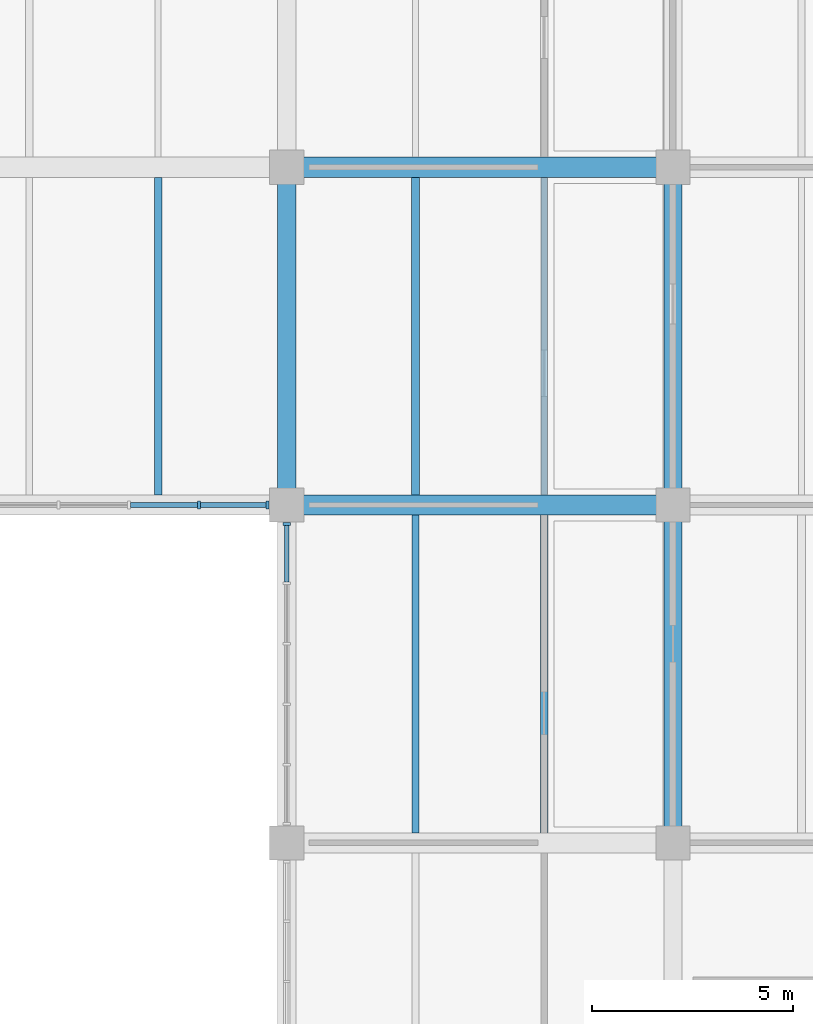
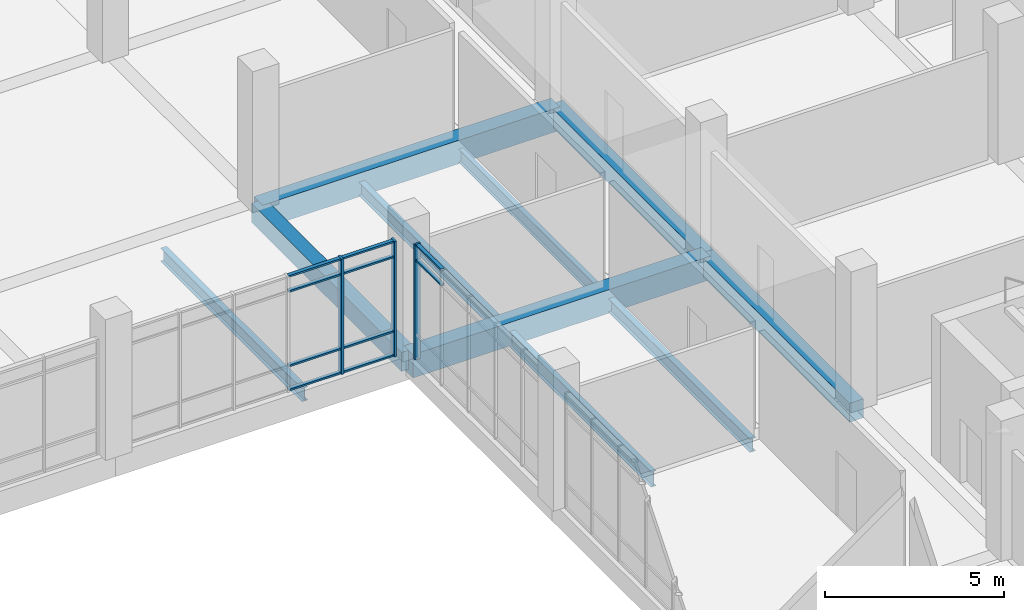
# One storey, part 37 of 152: 13 members, 10 beams, 2 elements without a shape of their own.
"""IFC4 building model written with IfcOpenShell, lengths in metres."""

from ifc_helpers import new_model, si_unit, direction, frame, origin, origin_2d, place, context, subcontext, project, spatial, rectangle, i_section, extrude, material, material_profile, profile_set, type_object, element, aggregate, save


model = new_model("IFC4")

# Units and contexts
model_context = context("Model", 3, precision=1e-05, world=origin(), true_north=direction((0.0, 1.0)))
body_context = subcontext(model_context, "Body", "Model", "MODEL_VIEW")
ifc_project = project(units=[si_unit("LENGTHUNIT", "METRE"), si_unit("AREAUNIT", "SQUARE_METRE"), si_unit("VOLUMEUNIT", "CUBIC_METRE"), si_unit("PLANEANGLEUNIT", "RADIAN"), si_unit("MASSUNIT", "GRAM", prefix="KILO")], contexts=[model_context])

# Site, building, storey
site_placement = place(None, origin())
site = spatial("IfcSite", under=ifc_project, at=site_placement, CompositionType="ELEMENT")
building_placement = place(site_placement, origin())
building = spatial("IfcBuilding", under=site, at=building_placement, Name="Oolite Switchyard Hospital", CompositionType="ELEMENT")
storey_placement = place(building_placement, frame((0.0, 0.0, 5.10009765625)))
storey = spatial("IfcBuildingStorey", under=building, at=storey_placement, Name="L01", CompositionType="ELEMENT", Elevation=5.10009765625)

# Beams
ifc_material_1 = material(Name="Concrete C40/50", Category="concrete")
ifc_material_profile_1 = material_profile(ifc_material_1, rectangle(XDim=0.449951171875, YDim=0.64990234375, at=origin_2d()), Name="RCB450X650")
ifc_profile_set_1 = profile_set([ifc_material_profile_1], Name="Concrete C40/50")
beam_type_1 = type_object("IfcBeamType", Name="BM-RC450X650", PredefinedType="BEAM", material=ifc_profile_set_1)
for number, where, z_axis, x_axis, name in (
    (1, (115.199951171875, 84.0, -0.3251953125), (0.0, 1.0, 0.0), (-1.0, 0.0, 0.0), "L01 Y-Girder 432"),
    (2, (124.800048828125, 75.60009765625, -0.3251953125), (0.0, 1.0, 0.0), (-1.0, 0.0, 0.0), "L01 Y-Girder 440"),
    (3, (124.800048828125, 84.0, -0.3251953125), (0.0, 1.0, 0.0), (-1.0, 0.0, 0.0), "L01 Y-Girder 441"),
):
    element("IfcBeam", number, at=place(storey_placement, frame(where, z_axis=z_axis, x_axis=x_axis)), inside=storey, type_object=beam_type_1, Name=name, PredefinedType="BEAM", context=body_context, shape_type="SweptSolid", body=[
        extrude(rectangle(XDim=0.449951171875, YDim=0.64990234375, at=origin_2d()), origin(), (0.0, 0.0, 1.0), 8.39990234375),
    ])
ifc_material_profile_2 = material_profile(ifc_material_1, rectangle(XDim=0.5, YDim=0.800048828125, at=origin_2d()), Name="RCB500X800")
ifc_profile_set_2 = profile_set([ifc_material_profile_2], Name="Concrete C40/50")
beam_type_2 = type_object("IfcBeamType", Name="BM-RC500X800", PredefinedType="BEAM", material=ifc_profile_set_2)
for number, where, z_axis, x_axis, name in (
    (4, (115.199951171875, 84.0, -0.400146484375), (1.0, 0.0, 0.0), (0.0, 1.0, 0.0), "L01 X-Girder 175"),
    (5, (115.199951171875, 92.39990234375, -0.400146484375), (1.0, 0.0, 0.0), (0.0, 1.0, 0.0), "L01 X-Girder 191"),
):
    element("IfcBeam", number, at=place(storey_placement, frame(where, z_axis=z_axis, x_axis=x_axis)), inside=storey, type_object=beam_type_2, Name=name, PredefinedType="BEAM", context=body_context, shape_type="SweptSolid", body=[
        extrude(rectangle(XDim=0.5, YDim=0.800048828125, at=origin_2d()), origin(), (0.0, 0.0, 1.0), 9.60009765625),
    ])
ifc_material_2 = material(Name="Steel ASTM A992 Grade 50", Category="steel")
ifc_material_profile_3 = material_profile(ifc_material_2, i_section(OverallWidth=0.153076171875, OverallDepth=0.455078125, WebThickness=0.008056640625, FlangeThickness=0.012939453125, at=origin_2d()), Name="W18X40")
ifc_profile_set_3 = profile_set([ifc_material_profile_3], Name="Steel ASTM A992 Grade 50")
beam_type_3 = type_object("IfcBeamType", Name="BM-W18X40", PredefinedType="JOIST", material=ifc_profile_set_3)
beam_1_placement = place(storey_placement, frame((121.60009765625, 84.25, -0.528076171875), z_axis=(0.0, 1.0, 0.0), x_axis=(-1.0, 0.0, 0.0)))
element("IfcBeam", 6, at=beam_1_placement, inside=storey, type_object=beam_type_3, Name="L01 Secondary Steel Joist 803", PredefinedType="JOIST", context=body_context, shape_type="SweptSolid", body=[
    extrude(i_section(OverallWidth=0.153076171875, OverallDepth=0.455078125, WebThickness=0.008056640625, FlangeThickness=0.012939453125, at=origin_2d()), origin(), (0.0, 0.0, 1.0), 7.89990234375),
])
ifc_material_profile_4 = material_profile(ifc_material_2, i_section(OverallWidth=0.19091796875, OverallDepth=0.4599609375, WebThickness=0.010009765625, FlangeThickness=0.01611328125, at=origin_2d()), Name="W18X55")
ifc_profile_set_4 = profile_set([ifc_material_profile_4], Name="Steel ASTM A992 Grade 50")
beam_type_4 = type_object("IfcBeamType", Name="BM-W18X55", PredefinedType="JOIST", material=ifc_profile_set_4)
for number, where, z_axis, x_axis, name in (
    (7, (112.0, 84.25, -0.530029296875), (0.0, 1.0, 0.0), (-1.0, 0.0, 0.0), "L01 Secondary Steel Joist 785"),
    (8, (121.60009765625, 75.85009765625, -0.530029296875), (0.0, 1.0, 0.0), (-1.0, 0.0, 0.0), "L01 Secondary Steel Joist 801"),
    (9, (118.39990234375, 84.25, -0.530029296875), (0.0, 1.0, 0.0), (-1.0, 0.0, 0.0), "L01 Secondary Steel Joist 802"),
):
    element("IfcBeam", number, at=place(storey_placement, frame(where, z_axis=z_axis, x_axis=x_axis)), inside=storey, type_object=beam_type_4, Name=name, PredefinedType="JOIST", context=body_context, shape_type="SweptSolid", body=[
        extrude(i_section(OverallWidth=0.19091796875, OverallDepth=0.4599609375, WebThickness=0.010009765625, FlangeThickness=0.01611328125, at=origin_2d()), origin(), (0.0, 0.0, 1.0), 7.89990234375),
    ])
ifc_material_profile_5 = material_profile(ifc_material_2, i_section(OverallWidth=0.166015625, OverallDepth=0.529052734375, WebThickness=0.010009765625, FlangeThickness=0.013916015625, at=origin_2d()), Name="W21X50")
ifc_profile_set_5 = profile_set([ifc_material_profile_5], Name="Steel ASTM A992 Grade 50")
beam_type_5 = type_object("IfcBeamType", Name="BM-W21X50", PredefinedType="JOIST", material=ifc_profile_set_5)
beam_2_placement = place(storey_placement, frame((118.39990234375, 75.85009765625, -0.564208984375), z_axis=(0.0, 1.0, 0.0), x_axis=(-1.0, 0.0, 0.0)))
element("IfcBeam", 10, at=beam_2_placement, inside=storey, type_object=beam_type_5, Name="L01 Secondary Steel Joist 800", PredefinedType="JOIST", context=body_context, shape_type="SweptSolid", body=[
    extrude(i_section(OverallWidth=0.166015625, OverallDepth=0.529052734375, WebThickness=0.010009765625, FlangeThickness=0.013916015625, at=origin_2d()), origin(), (0.0, 0.0, 1.0), 7.89990234375),
])

# Curtain wall, member
ifc_material_3 = material(Name="Thermally broken aluminum frame with laminated impact glazing", Category="aluminium")
curtain_wall_type_1 = type_object("IfcCurtainWallType", Name="CW-UNIT-84X48", PredefinedType="USERDEFINED", material=ifc_material_3)
curtain_wall_1_placement = place(storey_placement, origin())
curtain_wall_1 = element("IfcCurtainWall", 11, at=curtain_wall_1_placement, inside=storey, type_object=curtain_wall_type_1, Name="L01 Unitised Curtain Wall 186", ObjectType="UNITISED", PredefinedType="USERDEFINED")
ifc_material_4 = material(Name="Aluminium 6063-T6", Category="aluminium")
ifc_material_profile_6 = material_profile(ifc_material_4, rectangle(XDim=0.179931640625, YDim=0.070068359375, at=origin_2d()), Name="CWM70X180")
ifc_profile_set_6 = profile_set([ifc_material_profile_6], Name="Aluminium 6063-T6")
member_type_1 = type_object("IfcMemberType", Name="CW-MUL-220", PredefinedType="MULLION", material=ifc_profile_set_6)
member_1_placement = place(storey_placement, frame((115.199951171875, 83.52490234375, 0.0), z_axis=(0.0, 0.0, 1.0), x_axis=(-1.0, 0.0, 0.0)))
member_1 = element("IfcMember", 12, at=member_1_placement, type_object=member_type_1, Name="CW-07 mullion 6", PredefinedType="MULLION", context=body_context, shape_type="SweptSolid", body=[
    extrude(rectangle(XDim=0.179931640625, YDim=0.070068359375, at=origin_2d()), origin(), (0.0, 0.0, 1.0), 3.93994140625),
])

# Curtain wall, members
curtain_wall_type_2 = type_object("IfcCurtainWallType", Name="CW-UNIT-96X48", PredefinedType="USERDEFINED", material=ifc_material_3)
curtain_wall_2_placement = place(storey_placement, origin())
curtain_wall_2 = element("IfcCurtainWall", 13, at=curtain_wall_2_placement, inside=storey, type_object=curtain_wall_type_2, Name="L01 Unitised Curtain Wall 142", ObjectType="UNITISED", PredefinedType="USERDEFINED")
ifc_material_profile_7 = material_profile(ifc_material_4, rectangle(XDim=0.199951171875, YDim=0.074951171875, at=origin_2d()), Name="CWM75X200")
ifc_profile_set_7 = profile_set([ifc_material_profile_7], Name="Aluminium 6063-T6")
member_type_2 = type_object("IfcMemberType", Name="CW-MUL-260", PredefinedType="MULLION", material=ifc_profile_set_7)
member_2_placement = place(storey_placement, frame((114.722412109375, 84.0, 0.0), z_axis=(0.0, 0.0, 1.0), x_axis=(0.0, -1.0, 0.0)))
member_2 = element("IfcMember", 14, at=member_2_placement, type_object=member_type_2, Name="CW-02 mullion 1", PredefinedType="MULLION", context=body_context, shape_type="SweptSolid", body=[
    extrude(rectangle(XDim=0.199951171875, YDim=0.074951171875, at=origin_2d()), origin(), (0.0, 0.0, 1.0), 3.93994140625),
])
member_3_placement = place(storey_placement, frame((113.01611328125, 84.0, 0.0), z_axis=(0.0, 0.0, 1.0), x_axis=(0.0, -1.0, 0.0)))
member_3 = element("IfcMember", 15, at=member_3_placement, type_object=member_type_2, Name="CW-02 mullion 2", PredefinedType="MULLION", context=body_context, shape_type="SweptSolid", body=[
    extrude(rectangle(XDim=0.199951171875, YDim=0.074951171875, at=origin_2d()), origin(), (0.0, 0.0, 1.0), 3.93994140625),
])
ifc_material_profile_8 = material_profile(ifc_material_4, rectangle(XDim=0.1201171875, YDim=0.06005859375, at=origin_2d()), Name="CWT60X120")
ifc_profile_set_8 = profile_set([ifc_material_profile_8], Name="Aluminium 6063-T6")
member_type_3 = type_object("IfcMemberType", Name="CW-TRN-150", PredefinedType="USERDEFINED", material=ifc_profile_set_8)
member_4_placement = place(storey_placement, frame((114.68505859375, 84.0, 0.02978515625), z_axis=(-1.0, 0.0, 0.0), x_axis=(0.0, -1.0, 0.0)))
member_4 = element("IfcMember", 16, at=member_4_placement, type_object=member_type_3, Name="CW-02 transom 1.1", ObjectType="TRANSOM", PredefinedType="USERDEFINED", context=body_context, shape_type="SweptSolid", body=[
    extrude(rectangle(XDim=0.1201171875, YDim=0.06005859375, at=origin_2d()), origin(), (0.0, 0.0, 1.0), 1.631591796875),
])
member_5_placement = place(storey_placement, frame((114.68505859375, 84.0, 0.849853515625), z_axis=(-1.0, 0.0, 0.0), x_axis=(0.0, -1.0, 0.0)))
member_5 = element("IfcMember", 17, at=member_5_placement, type_object=member_type_3, Name="CW-02 transom 1.2", ObjectType="TRANSOM", PredefinedType="USERDEFINED", context=body_context, shape_type="SweptSolid", body=[
    extrude(rectangle(XDim=0.1201171875, YDim=0.06005859375, at=origin_2d()), origin(), (0.0, 0.0, 1.0), 1.631591796875),
])
member_6_placement = place(storey_placement, frame((114.68505859375, 84.0, 3.389892578125), z_axis=(-1.0, 0.0, 0.0), x_axis=(0.0, -1.0, 0.0)))
member_6 = element("IfcMember", 18, at=member_6_placement, type_object=member_type_3, Name="CW-02 transom 1.3", ObjectType="TRANSOM", PredefinedType="USERDEFINED", context=body_context, shape_type="SweptSolid", body=[
    extrude(rectangle(XDim=0.1201171875, YDim=0.06005859375, at=origin_2d()), origin(), (0.0, 0.0, 1.0), 1.631591796875),
])
member_7_placement = place(storey_placement, frame((114.68505859375, 84.0, 3.909912109375), z_axis=(-1.0, 0.0, 0.0), x_axis=(0.0, -1.0, 0.0)))
member_7 = element("IfcMember", 19, at=member_7_placement, type_object=member_type_3, Name="CW-02 transom 1.4", ObjectType="TRANSOM", PredefinedType="USERDEFINED", context=body_context, shape_type="SweptSolid", body=[
    extrude(rectangle(XDim=0.1201171875, YDim=0.06005859375, at=origin_2d()), origin(), (0.0, 0.0, 1.0), 1.631591796875),
])
member_8_placement = place(storey_placement, frame((112.978515625, 84.0, 0.02978515625), z_axis=(-1.0, 0.0, 0.0), x_axis=(0.0, -1.0, 0.0)))
member_8 = element("IfcMember", 20, at=member_8_placement, type_object=member_type_3, Name="CW-02 transom 2.1", ObjectType="TRANSOM", PredefinedType="USERDEFINED", context=body_context, shape_type="SweptSolid", body=[
    extrude(rectangle(XDim=0.1201171875, YDim=0.06005859375, at=origin_2d()), origin(), (0.0, 0.0, 1.0), 1.6689453125),
])
member_9_placement = place(storey_placement, frame((112.978515625, 84.0, 0.849853515625), z_axis=(-1.0, 0.0, 0.0), x_axis=(0.0, -1.0, 0.0)))
member_9 = element("IfcMember", 21, at=member_9_placement, type_object=member_type_3, Name="CW-02 transom 2.2", ObjectType="TRANSOM", PredefinedType="USERDEFINED", context=body_context, shape_type="SweptSolid", body=[
    extrude(rectangle(XDim=0.1201171875, YDim=0.06005859375, at=origin_2d()), origin(), (0.0, 0.0, 1.0), 1.6689453125),
])
member_10_placement = place(storey_placement, frame((112.978515625, 84.0, 3.389892578125), z_axis=(-1.0, 0.0, 0.0), x_axis=(0.0, -1.0, 0.0)))
member_10 = element("IfcMember", 22, at=member_10_placement, type_object=member_type_3, Name="CW-02 transom 2.3", ObjectType="TRANSOM", PredefinedType="USERDEFINED", context=body_context, shape_type="SweptSolid", body=[
    extrude(rectangle(XDim=0.1201171875, YDim=0.06005859375, at=origin_2d()), origin(), (0.0, 0.0, 1.0), 1.6689453125),
])
member_11_placement = place(storey_placement, frame((112.978515625, 84.0, 3.909912109375), z_axis=(-1.0, 0.0, 0.0), x_axis=(0.0, -1.0, 0.0)))
member_11 = element("IfcMember", 23, at=member_11_placement, type_object=member_type_3, Name="CW-02 transom 2.4", ObjectType="TRANSOM", PredefinedType="USERDEFINED", context=body_context, shape_type="SweptSolid", body=[
    extrude(rectangle(XDim=0.1201171875, YDim=0.06005859375, at=origin_2d()), origin(), (0.0, 0.0, 1.0), 1.6689453125),
])
aggregate(curtain_wall_2, [member_2, member_3, member_4, member_5, member_6, member_7, member_8, member_9, member_10, member_11])

# Member
member_12_placement = place(storey_placement, frame((115.199951171875, 82.091064453125, 3.389892578125), z_axis=(0.0, 1.0, 0.0), x_axis=(-1.0, 0.0, 0.0)))
member_12 = element("IfcMember", 24, at=member_12_placement, type_object=member_type_3, Name="CW-07 transom 5.3", ObjectType="TRANSOM", PredefinedType="USERDEFINED", context=body_context, shape_type="SweptSolid", body=[
    extrude(rectangle(XDim=0.1201171875, YDim=0.06005859375, at=origin_2d()), origin(), (0.0, 0.0, 1.0), 1.39892578125),
])

member_13_placement = place(storey_placement, frame((115.199951171875, 82.091064453125, 3.909912109375), z_axis=(0.0, 1.0, 0.0), x_axis=(-1.0, 0.0, 0.0)))
member_13 = element("IfcMember", 25, at=member_13_placement, type_object=member_type_3, Name="CW-07 transom 5.4", ObjectType="TRANSOM", PredefinedType="USERDEFINED", context=body_context, shape_type="SweptSolid", body=[
    extrude(rectangle(XDim=0.1201171875, YDim=0.06005859375, at=origin_2d()), origin(), (0.0, 0.0, 1.0), 1.39892578125),
])

aggregate(curtain_wall_1, [member_1, member_12, member_13])

save(model, "model.ifc")
